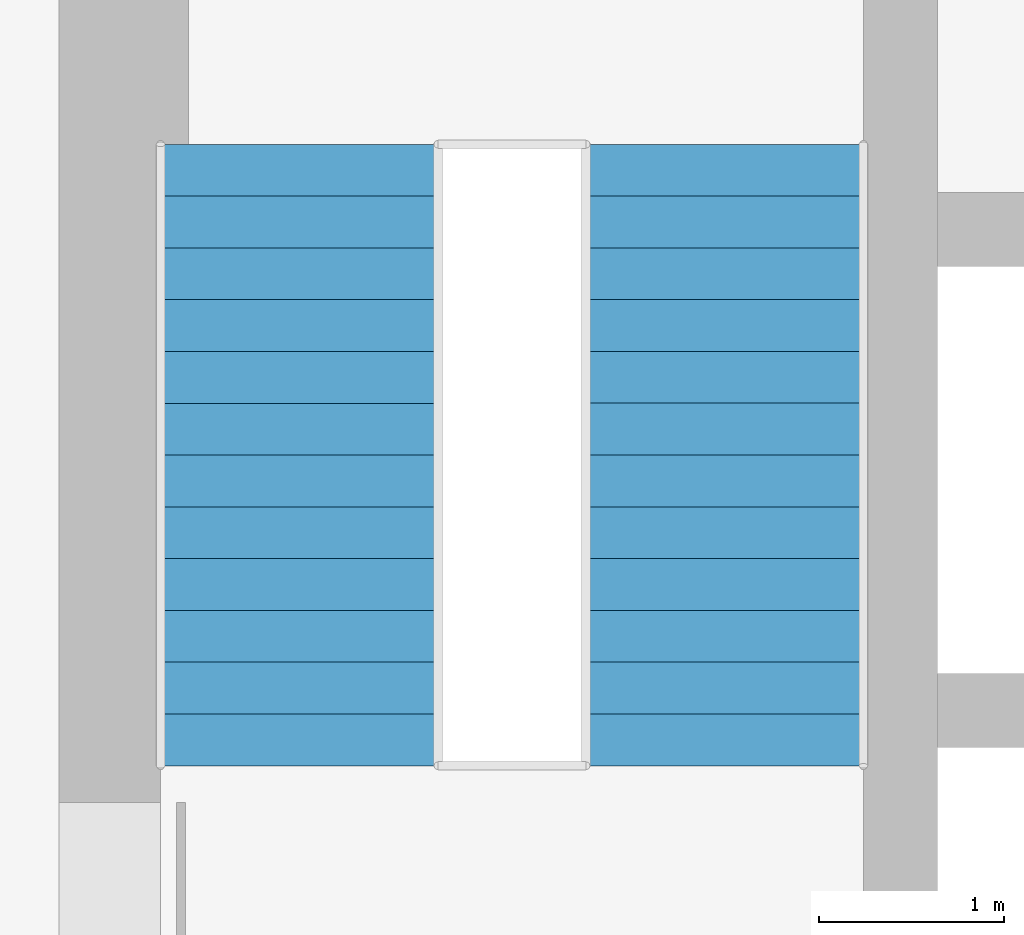
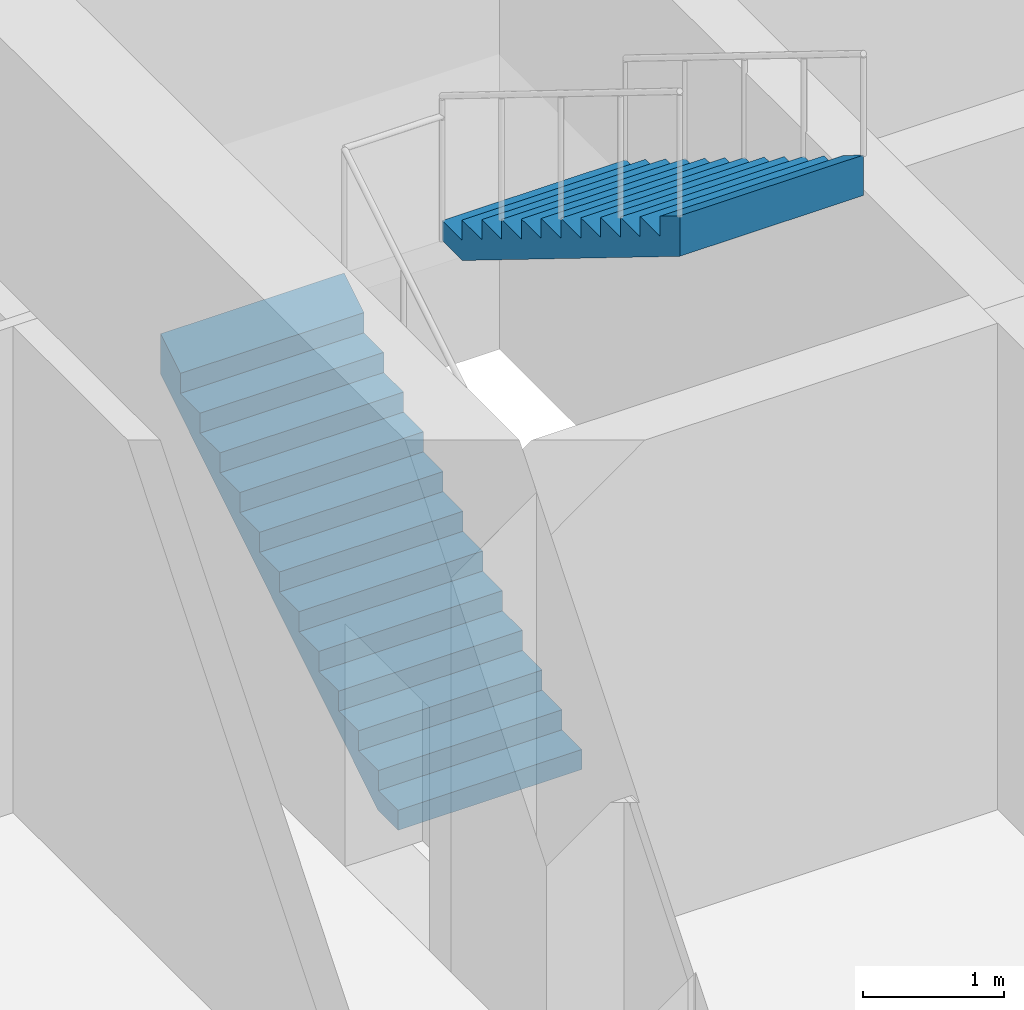
# One storey, part 6 of 8: 2 stair flights, 1 element without a shape of its own.
"""IFC4 building model written with IfcOpenShell, lengths in metres."""

from ifc_helpers import new_model, si_unit, direction, frame, origin, place, context, subcontext, project, spatial, triangles, material, type_object, element, aggregate, save


model = new_model("IFC4")

# Units and contexts
model_context = context("Model", 3, precision=1e-05, world=origin(), true_north=direction((0.0, 1.0)))
body_context = subcontext(model_context, "Body", "Model", "MODEL_VIEW")
ifc_project = project(units=[si_unit("LENGTHUNIT", "METRE"), si_unit("AREAUNIT", "SQUARE_METRE"), si_unit("VOLUMEUNIT", "CUBIC_METRE"), si_unit("PLANEANGLEUNIT", "RADIAN"), si_unit("MASSUNIT", "GRAM", prefix="KILO")], contexts=[model_context])

# Site, building, storey
site_placement = place(None, origin())
site = spatial("IfcSite", under=ifc_project, at=site_placement, CompositionType="ELEMENT")
building_placement = place(site_placement, origin())
building = spatial("IfcBuilding", under=site, at=building_placement, Name="Ludao Terraces", CompositionType="ELEMENT")
storey_placement = place(building_placement, frame((0.0, 0.0, 46.699951171875)))
storey = spatial("IfcBuildingStorey", under=building, at=storey_placement, Name="L12", CompositionType="ELEMENT", Elevation=46.699951171875)

# Stair, stair flights
ifc_material = material(Name="Concrete C40", Category="concrete")
stair_type = type_object("IfcStairType", Name="INT Stair", PredefinedType="HALF_TURN_STAIR", material=ifc_material)
stair_placement = place(storey_placement, origin())
stair = element("IfcStair", 1, at=stair_placement, inside=storey, type_object=stair_type, Name="EXIT STAIR 1", PredefinedType="HALF_TURN_STAIR")
stair_flight_type = type_object("IfcStairFlightType", Name="INT Stair flight", PredefinedType="STRAIGHT", material=ifc_material)
stair_flight_1_placement = place(storey_placement, frame((76.199951171875, 79.0, 0.0), z_axis=(0.0, 0.0, 1.0), x_axis=(0.0, 1.0, 0.0)))
stair_flight_1 = element("IfcStairFlight", 2, at=stair_flight_1_placement, type_object=stair_flight_type, Name="ST1 flight 1", NumberOfRisers=13, NumberOfTreads=12, PredefinedType="STRAIGHT", RiserHeight=0.173077, TreadLength=0.28, context=body_context, shape_type="Tessellation", body=[
    triangles([(0.0, -0.75, 0.0), (0.0, -0.5, 0.0), (0.0, -0.25, 0.0), (0.0, 0.0, 0.0), (0.0, 0.25, 0.0), (0.0, 0.5, 0.0), (0.0, 0.75, 0.0), (0.0, -0.75, 0.173095703125), (0.0, -0.5, 0.173095703125), (0.0, -0.25, 0.173095703125), (0.0, 0.0, 0.173095703125), (0.0, 0.25, 0.173095703125), (0.0, 0.5, 0.173095703125), (0.0, 0.75, 0.173095703125), (0.280029296875, -0.75, 0.173095703125), (0.280029296875, -0.5, 0.173095703125), (0.280029296875, -0.25, 0.173095703125), (0.280029296875, 0.0, 0.173095703125), (0.280029296875, 0.25, 0.173095703125), (0.280029296875, 0.5, 0.173095703125), (0.280029296875, 0.75, 0.173095703125), (0.280029296875, -0.75, 0.34619140625), (0.280029296875, -0.5, 0.34619140625), (0.280029296875, -0.25, 0.34619140625), (0.280029296875, 0.0, 0.34619140625), (0.280029296875, 0.25, 0.34619140625), (0.280029296875, 0.5, 0.34619140625), (0.280029296875, 0.75, 0.34619140625), (0.56005859375, -0.75, 0.34619140625), (0.56005859375, -0.5, 0.34619140625), (0.56005859375, -0.25, 0.34619140625), (0.56005859375, 0.0, 0.34619140625), (0.56005859375, 0.25, 0.34619140625), (0.56005859375, 0.5, 0.34619140625), (0.56005859375, 0.75, 0.34619140625), (0.56005859375, -0.75, 0.519287109375), (0.56005859375, -0.5, 0.519287109375), (0.56005859375, -0.25, 0.519287109375), (0.56005859375, 0.0, 0.519287109375), (0.56005859375, 0.25, 0.519287109375), (0.56005859375, 0.5, 0.519287109375), (0.56005859375, 0.75, 0.519287109375), (0.840087890625, -0.75, 0.519287109375), (0.840087890625, -0.5, 0.519287109375), (0.840087890625, -0.25, 0.519287109375), (0.840087890625, 0.0, 0.519287109375), (0.840087890625, 0.25, 0.519287109375), (0.840087890625, 0.5, 0.519287109375), (0.840087890625, 0.75, 0.519287109375), (0.840087890625, -0.75, 0.6923828125), (0.840087890625, -0.5, 0.6923828125), (0.840087890625, -0.25, 0.6923828125), (0.840087890625, 0.0, 0.6923828125), (0.840087890625, 0.25, 0.6923828125), (0.840087890625, 0.5, 0.6923828125), (0.840087890625, 0.75, 0.6923828125), (1.1201171875, -0.75, 0.6923828125), (1.1201171875, -0.5, 0.6923828125), (1.1201171875, -0.25, 0.6923828125), (1.1201171875, 0.0, 0.6923828125), (1.1201171875, 0.25, 0.6923828125), (1.1201171875, 0.5, 0.6923828125), (1.1201171875, 0.75, 0.6923828125), (1.1201171875, -0.75, 0.865478515625), (1.1201171875, -0.5, 0.865478515625), (1.1201171875, -0.25, 0.865478515625), (1.1201171875, 0.0, 0.865478515625), (1.1201171875, 0.25, 0.865478515625), (1.1201171875, 0.5, 0.865478515625), (1.1201171875, 0.75, 0.865478515625), (1.39990234375, -0.75, 0.865478515625), (1.39990234375, -0.5, 0.865478515625), (1.39990234375, -0.25, 0.865478515625), (1.39990234375, 0.0, 0.865478515625), (1.39990234375, 0.25, 0.865478515625), (1.39990234375, 0.5, 0.865478515625), (1.39990234375, 0.75, 0.865478515625), (1.39990234375, -0.75, 1.03857421875), (1.39990234375, -0.5, 1.03857421875), (1.39990234375, -0.25, 1.03857421875), (1.39990234375, 0.0, 1.03857421875), (1.39990234375, 0.25, 1.03857421875), (1.39990234375, 0.5, 1.03857421875), (1.39990234375, 0.75, 1.03857421875), (1.679931640625, -0.75, 1.03857421875), (1.679931640625, -0.5, 1.03857421875), (1.679931640625, -0.25, 1.03857421875), (1.679931640625, 0.0, 1.03857421875), (1.679931640625, 0.25, 1.03857421875), (1.679931640625, 0.5, 1.03857421875), (1.679931640625, 0.75, 1.03857421875), (1.679931640625, -0.75, 1.21142578125), (1.679931640625, -0.5, 1.21142578125), (1.679931640625, -0.25, 1.21142578125), (1.679931640625, 0.0, 1.21142578125), (1.679931640625, 0.25, 1.21142578125), (1.679931640625, 0.5, 1.21142578125), (1.679931640625, 0.75, 1.21142578125), (1.9599609375, -0.75, 1.21142578125), (1.9599609375, -0.5, 1.21142578125), (1.9599609375, -0.25, 1.21142578125), (1.9599609375, 0.0, 1.21142578125), (1.9599609375, 0.25, 1.21142578125), (1.9599609375, 0.5, 1.21142578125), (1.9599609375, 0.75, 1.21142578125), (1.9599609375, -0.75, 1.384521484375), (1.9599609375, -0.5, 1.384521484375), (1.9599609375, -0.25, 1.384521484375), (1.9599609375, 0.0, 1.384521484375), (1.9599609375, 0.25, 1.384521484375), (1.9599609375, 0.5, 1.384521484375), (1.9599609375, 0.75, 1.384521484375), (2.239990234375, -0.75, 1.384521484375), (2.239990234375, -0.5, 1.384521484375), (2.239990234375, -0.25, 1.384521484375), (2.239990234375, 0.0, 1.384521484375), (2.239990234375, 0.25, 1.384521484375), (2.239990234375, 0.5, 1.384521484375), (2.239990234375, 0.75, 1.384521484375), (2.239990234375, -0.75, 1.5576171875), (2.239990234375, -0.5, 1.5576171875), (2.239990234375, -0.25, 1.5576171875), (2.239990234375, 0.0, 1.5576171875), (2.239990234375, 0.25, 1.5576171875), (2.239990234375, 0.5, 1.5576171875), (2.239990234375, 0.75, 1.5576171875), (2.52001953125, -0.75, 1.5576171875), (2.52001953125, -0.5, 1.5576171875), (2.52001953125, -0.25, 1.5576171875), (2.52001953125, 0.0, 1.5576171875), (2.52001953125, 0.25, 1.5576171875), (2.52001953125, 0.5, 1.5576171875), (2.52001953125, 0.75, 1.5576171875), (2.52001953125, -0.75, 1.730712890625), (2.52001953125, -0.5, 1.730712890625), (2.52001953125, -0.25, 1.730712890625), (2.52001953125, 0.0, 1.730712890625), (2.52001953125, 0.25, 1.730712890625), (2.52001953125, 0.5, 1.730712890625), (2.52001953125, 0.75, 1.730712890625), (2.800048828125, -0.75, 1.730712890625), (2.800048828125, -0.5, 1.730712890625), (2.800048828125, -0.25, 1.730712890625), (2.800048828125, 0.0, 1.730712890625), (2.800048828125, 0.25, 1.730712890625), (2.800048828125, 0.5, 1.730712890625), (2.800048828125, 0.75, 1.730712890625), (2.800048828125, -0.75, 1.90380859375), (2.800048828125, -0.5, 1.90380859375), (2.800048828125, -0.25, 1.90380859375), (2.800048828125, 0.0, 1.90380859375), (2.800048828125, 0.25, 1.90380859375), (2.800048828125, 0.5, 1.90380859375), (2.800048828125, 0.75, 1.90380859375), (3.080078125, -0.75, 1.90380859375), (3.080078125, -0.5, 1.90380859375), (3.080078125, -0.25, 1.90380859375), (3.080078125, 0.0, 1.90380859375), (3.080078125, 0.25, 1.90380859375), (3.080078125, 0.5, 1.90380859375), (3.080078125, 0.75, 1.90380859375), (3.080078125, -0.75, 2.076904296875), (3.080078125, -0.5, 2.076904296875), (3.080078125, -0.25, 2.076904296875), (3.080078125, 0.0, 2.076904296875), (3.080078125, 0.25, 2.076904296875), (3.080078125, 0.5, 2.076904296875), (3.080078125, 0.75, 2.076904296875), (3.360107421875, -0.75, 2.25), (3.360107421875, -0.5, 2.25), (3.360107421875, -0.25, 2.25), (3.360107421875, 0.0, 2.25), (3.360107421875, 0.25, 2.25), (3.360107421875, 0.5, 2.25), (3.360107421875, 0.75, 2.25), (3.360107421875, -0.75, 1.900634765625), (3.360107421875, -0.5, 1.900634765625), (3.360107421875, -0.25, 1.900634765625), (3.360107421875, 0.0, 1.900634765625), (3.360107421875, 0.25, 1.900634765625), (3.360107421875, 0.5, 1.900634765625), (3.360107421875, 0.75, 1.900634765625), (0.28515625, -0.75, 0.0), (0.28515625, -0.5, 0.0), (0.28515625, -0.25, 0.0), (0.28515625, 0.0, 0.0), (0.28515625, 0.25, 0.0), (0.28515625, 0.5, 0.0), (0.28515625, 0.75, 0.0)], [[1, 183, 176], [7, 182, 189], [176, 169, 162], [182, 168, 175], [176, 162, 155], [182, 161, 168], [176, 155, 148], [182, 154, 161], [176, 148, 141], [182, 147, 154], [141, 134, 127], [147, 133, 140], [176, 141, 127], [182, 133, 147], [127, 120, 113], [133, 119, 126], [176, 127, 113], [182, 119, 133], [113, 106, 99], [119, 105, 112], [176, 113, 99], [182, 105, 119], [1, 176, 99], [7, 105, 182], [99, 92, 85], [105, 91, 98], [85, 78, 71], [91, 77, 84], [99, 85, 71], [105, 77, 91], [71, 64, 57], [77, 63, 70], [99, 71, 57], [105, 63, 77], [57, 50, 43], [63, 49, 56], [99, 57, 43], [105, 49, 63], [43, 36, 29], [49, 35, 42], [99, 43, 29], [105, 35, 49], [29, 22, 15], [35, 21, 28], [99, 29, 15], [105, 21, 35], [1, 99, 15], [7, 21, 105], [15, 8, 1], [21, 7, 14], [1, 9, 2], [1, 8, 9], [2, 10, 3], [2, 9, 10], [3, 11, 4], [3, 10, 11], [4, 12, 5], [4, 11, 12], [5, 13, 6], [5, 12, 13], [6, 14, 7], [6, 13, 14], [8, 16, 9], [8, 15, 16], [9, 17, 10], [9, 16, 17], [10, 18, 11], [10, 17, 18], [11, 19, 12], [11, 18, 19], [12, 20, 13], [12, 19, 20], [13, 21, 14], [13, 20, 21], [15, 23, 16], [15, 22, 23], [16, 24, 17], [16, 23, 24], [17, 25, 18], [17, 24, 25], [18, 26, 19], [18, 25, 26], [19, 27, 20], [19, 26, 27], [20, 28, 21], [20, 27, 28], [22, 30, 23], [22, 29, 30], [23, 31, 24], [23, 30, 31], [24, 32, 25], [24, 31, 32], [25, 33, 26], [25, 32, 33], [26, 34, 27], [26, 33, 34], [27, 35, 28], [27, 34, 35], [29, 37, 30], [29, 36, 37], [30, 38, 31], [30, 37, 38], [31, 39, 32], [31, 38, 39], [32, 40, 33], [32, 39, 40], [33, 41, 34], [33, 40, 41], [34, 42, 35], [34, 41, 42], [36, 44, 37], [36, 43, 44], [37, 45, 38], [37, 44, 45], [38, 46, 39], [38, 45, 46], [39, 47, 40], [39, 46, 47], [40, 48, 41], [40, 47, 48], [41, 49, 42], [41, 48, 49], [43, 51, 44], [43, 50, 51], [44, 52, 45], [44, 51, 52], [45, 53, 46], [45, 52, 53], [46, 54, 47], [46, 53, 54], [47, 55, 48], [47, 54, 55], [48, 56, 49], [48, 55, 56], [50, 58, 51], [50, 57, 58], [51, 59, 52], [51, 58, 59], [52, 60, 53], [52, 59, 60], [53, 61, 54], [53, 60, 61], [54, 62, 55], [54, 61, 62], [55, 63, 56], [55, 62, 63], [57, 65, 58], [57, 64, 65], [58, 66, 59], [58, 65, 66], [59, 67, 60], [59, 66, 67], [60, 68, 61], [60, 67, 68], [61, 69, 62], [61, 68, 69], [62, 70, 63], [62, 69, 70], [64, 72, 65], [64, 71, 72], [65, 73, 66], [65, 72, 73], [66, 74, 67], [66, 73, 74], [67, 75, 68], [67, 74, 75], [68, 76, 69], [68, 75, 76], [69, 77, 70], [69, 76, 77], [71, 79, 72], [71, 78, 79], [72, 80, 73], [72, 79, 80], [73, 81, 74], [73, 80, 81], [74, 82, 75], [74, 81, 82], [75, 83, 76], [75, 82, 83], [76, 84, 77], [76, 83, 84], [78, 86, 79], [78, 85, 86], [79, 87, 80], [79, 86, 87], [80, 88, 81], [80, 87, 88], [81, 89, 82], [81, 88, 89], [82, 90, 83], [82, 89, 90], [83, 91, 84], [83, 90, 91], [85, 93, 86], [85, 92, 93], [86, 94, 87], [86, 93, 94], [87, 95, 88], [87, 94, 95], [88, 96, 89], [88, 95, 96], [89, 97, 90], [89, 96, 97], [90, 98, 91], [90, 97, 98], [92, 100, 93], [92, 99, 100], [93, 101, 94], [93, 100, 101], [94, 102, 95], [94, 101, 102], [95, 103, 96], [95, 102, 103], [96, 104, 97], [96, 103, 104], [97, 105, 98], [97, 104, 105], [99, 107, 100], [99, 106, 107], [100, 108, 101], [100, 107, 108], [101, 109, 102], [101, 108, 109], [102, 110, 103], [102, 109, 110], [103, 111, 104], [103, 110, 111], [104, 112, 105], [104, 111, 112], [106, 114, 107], [106, 113, 114], [107, 115, 108], [107, 114, 115], [108, 116, 109], [108, 115, 116], [109, 117, 110], [109, 116, 117], [110, 118, 111], [110, 117, 118], [111, 119, 112], [111, 118, 119], [113, 121, 114], [113, 120, 121], [114, 122, 115], [114, 121, 122], [115, 123, 116], [115, 122, 123], [116, 124, 117], [116, 123, 124], [117, 125, 118], [117, 124, 125], [118, 126, 119], [118, 125, 126], [120, 128, 121], [120, 127, 128], [121, 129, 122], [121, 128, 129], [122, 130, 123], [122, 129, 130], [123, 131, 124], [123, 130, 131], [124, 132, 125], [124, 131, 132], [125, 133, 126], [125, 132, 133], [127, 135, 128], [127, 134, 135], [128, 136, 129], [128, 135, 136], [129, 137, 130], [129, 136, 137], [130, 138, 131], [130, 137, 138], [131, 139, 132], [131, 138, 139], [132, 140, 133], [132, 139, 140], [134, 142, 135], [134, 141, 142], [135, 143, 136], [135, 142, 143], [136, 144, 137], [136, 143, 144], [137, 145, 138], [137, 144, 145], [138, 146, 139], [138, 145, 146], [139, 147, 140], [139, 146, 147], [141, 149, 142], [141, 148, 149], [142, 150, 143], [142, 149, 150], [143, 151, 144], [143, 150, 151], [144, 152, 145], [144, 151, 152], [145, 153, 146], [145, 152, 153], [146, 154, 147], [146, 153, 154], [148, 156, 149], [148, 155, 156], [149, 157, 150], [149, 156, 157], [150, 158, 151], [150, 157, 158], [151, 159, 152], [151, 158, 159], [152, 160, 153], [152, 159, 160], [153, 161, 154], [153, 160, 161], [155, 163, 156], [155, 162, 163], [156, 164, 157], [156, 163, 164], [157, 165, 158], [157, 164, 165], [158, 166, 159], [158, 165, 166], [159, 167, 160], [159, 166, 167], [160, 168, 161], [160, 167, 168], [162, 170, 163], [162, 169, 170], [163, 171, 164], [163, 170, 171], [164, 172, 165], [164, 171, 172], [165, 173, 166], [165, 172, 173], [166, 174, 167], [166, 173, 174], [167, 175, 168], [167, 174, 175], [169, 177, 170], [169, 176, 177], [170, 178, 171], [170, 177, 178], [171, 179, 172], [171, 178, 179], [172, 180, 173], [172, 179, 180], [173, 181, 174], [173, 180, 181], [174, 182, 175], [174, 181, 182], [176, 184, 177], [176, 183, 184], [177, 185, 178], [177, 184, 185], [178, 186, 179], [178, 185, 186], [179, 187, 180], [179, 186, 187], [180, 188, 181], [180, 187, 188], [181, 189, 182], [181, 188, 189], [183, 2, 184], [183, 1, 2], [184, 3, 185], [184, 2, 3], [185, 4, 186], [185, 3, 4], [186, 5, 187], [186, 4, 5], [187, 6, 188], [187, 5, 6], [188, 7, 189], [188, 6, 7]], closed=True),
])
stair_flight_2_placement = place(storey_placement, frame((78.5, 82.360107421875, 2.25), z_axis=(0.0, 0.0, 1.0), x_axis=(0.0, -1.0, 0.0)))
stair_flight_2 = element("IfcStairFlight", 3, at=stair_flight_2_placement, type_object=stair_flight_type, Name="ST1 flight 2", NumberOfRisers=13, NumberOfTreads=12, PredefinedType="STRAIGHT", RiserHeight=0.173077, TreadLength=0.28, context=body_context, shape_type="Tessellation", body=[
    triangles([(0.0, -0.75, 0.0), (0.0, -0.5, 0.0), (0.0, -0.25, 0.0), (0.0, 0.0, 0.0), (0.0, 0.25, 0.0), (0.0, 0.5, 0.0), (0.0, 0.75, 0.0), (0.0, -0.75, 0.173095703125), (0.0, -0.5, 0.173095703125), (0.0, -0.25, 0.173095703125), (0.0, 0.0, 0.173095703125), (0.0, 0.25, 0.173095703125), (0.0, 0.5, 0.173095703125), (0.0, 0.75, 0.173095703125), (0.280029296875, -0.75, 0.173095703125), (0.280029296875, -0.5, 0.173095703125), (0.280029296875, -0.25, 0.173095703125), (0.280029296875, 0.0, 0.173095703125), (0.280029296875, 0.25, 0.173095703125), (0.280029296875, 0.5, 0.173095703125), (0.280029296875, 0.75, 0.173095703125), (0.280029296875, -0.75, 0.34619140625), (0.280029296875, -0.5, 0.34619140625), (0.280029296875, -0.25, 0.34619140625), (0.280029296875, 0.0, 0.34619140625), (0.280029296875, 0.25, 0.34619140625), (0.280029296875, 0.5, 0.34619140625), (0.280029296875, 0.75, 0.34619140625), (0.56005859375, -0.75, 0.34619140625), (0.56005859375, -0.5, 0.34619140625), (0.56005859375, -0.25, 0.34619140625), (0.56005859375, 0.0, 0.34619140625), (0.56005859375, 0.25, 0.34619140625), (0.56005859375, 0.5, 0.34619140625), (0.56005859375, 0.75, 0.34619140625), (0.56005859375, -0.75, 0.519287109375), (0.56005859375, -0.5, 0.519287109375), (0.56005859375, -0.25, 0.519287109375), (0.56005859375, 0.0, 0.519287109375), (0.56005859375, 0.25, 0.519287109375), (0.56005859375, 0.5, 0.519287109375), (0.56005859375, 0.75, 0.519287109375), (0.840087890625, -0.75, 0.519287109375), (0.840087890625, -0.5, 0.519287109375), (0.840087890625, -0.25, 0.519287109375), (0.840087890625, 0.0, 0.519287109375), (0.840087890625, 0.25, 0.519287109375), (0.840087890625, 0.5, 0.519287109375), (0.840087890625, 0.75, 0.519287109375), (0.840087890625, -0.75, 0.6923828125), (0.840087890625, -0.5, 0.6923828125), (0.840087890625, -0.25, 0.6923828125), (0.840087890625, 0.0, 0.6923828125), (0.840087890625, 0.25, 0.6923828125), (0.840087890625, 0.5, 0.6923828125), (0.840087890625, 0.75, 0.6923828125), (1.1201171875, -0.75, 0.6923828125), (1.1201171875, -0.5, 0.6923828125), (1.1201171875, -0.25, 0.6923828125), (1.1201171875, 0.0, 0.6923828125), (1.1201171875, 0.25, 0.6923828125), (1.1201171875, 0.5, 0.6923828125), (1.1201171875, 0.75, 0.6923828125), (1.1201171875, -0.75, 0.865478515625), (1.1201171875, -0.5, 0.865478515625), (1.1201171875, -0.25, 0.865478515625), (1.1201171875, 0.0, 0.865478515625), (1.1201171875, 0.25, 0.865478515625), (1.1201171875, 0.5, 0.865478515625), (1.1201171875, 0.75, 0.865478515625), (1.39990234375, -0.75, 0.865478515625), (1.39990234375, -0.5, 0.865478515625), (1.39990234375, -0.25, 0.865478515625), (1.39990234375, 0.0, 0.865478515625), (1.39990234375, 0.25, 0.865478515625), (1.39990234375, 0.5, 0.865478515625), (1.39990234375, 0.75, 0.865478515625), (1.39990234375, -0.75, 1.03857421875), (1.39990234375, -0.5, 1.03857421875), (1.39990234375, -0.25, 1.03857421875), (1.39990234375, 0.0, 1.03857421875), (1.39990234375, 0.25, 1.03857421875), (1.39990234375, 0.5, 1.03857421875), (1.39990234375, 0.75, 1.03857421875), (1.679931640625, -0.75, 1.03857421875), (1.679931640625, -0.5, 1.03857421875), (1.679931640625, -0.25, 1.03857421875), (1.679931640625, 0.0, 1.03857421875), (1.679931640625, 0.25, 1.03857421875), (1.679931640625, 0.5, 1.03857421875), (1.679931640625, 0.75, 1.03857421875), (1.679931640625, -0.75, 1.21142578125), (1.679931640625, -0.5, 1.21142578125), (1.679931640625, -0.25, 1.21142578125), (1.679931640625, 0.0, 1.21142578125), (1.679931640625, 0.25, 1.21142578125), (1.679931640625, 0.5, 1.21142578125), (1.679931640625, 0.75, 1.21142578125), (1.9599609375, -0.75, 1.21142578125), (1.9599609375, -0.5, 1.21142578125), (1.9599609375, -0.25, 1.21142578125), (1.9599609375, 0.0, 1.21142578125), (1.9599609375, 0.25, 1.21142578125), (1.9599609375, 0.5, 1.21142578125), (1.9599609375, 0.75, 1.21142578125), (1.9599609375, -0.75, 1.384521484375), (1.9599609375, -0.5, 1.384521484375), (1.9599609375, -0.25, 1.384521484375), (1.9599609375, 0.0, 1.384521484375), (1.9599609375, 0.25, 1.384521484375), (1.9599609375, 0.5, 1.384521484375), (1.9599609375, 0.75, 1.384521484375), (2.239990234375, -0.75, 1.384521484375), (2.239990234375, -0.5, 1.384521484375), (2.239990234375, -0.25, 1.384521484375), (2.239990234375, 0.0, 1.384521484375), (2.239990234375, 0.25, 1.384521484375), (2.239990234375, 0.5, 1.384521484375), (2.239990234375, 0.75, 1.384521484375), (2.239990234375, -0.75, 1.5576171875), (2.239990234375, -0.5, 1.5576171875), (2.239990234375, -0.25, 1.5576171875), (2.239990234375, 0.0, 1.5576171875), (2.239990234375, 0.25, 1.5576171875), (2.239990234375, 0.5, 1.5576171875), (2.239990234375, 0.75, 1.5576171875), (2.52001953125, -0.75, 1.5576171875), (2.52001953125, -0.5, 1.5576171875), (2.52001953125, -0.25, 1.5576171875), (2.52001953125, 0.0, 1.5576171875), (2.52001953125, 0.25, 1.5576171875), (2.52001953125, 0.5, 1.5576171875), (2.52001953125, 0.75, 1.5576171875), (2.52001953125, -0.75, 1.730712890625), (2.52001953125, -0.5, 1.730712890625), (2.52001953125, -0.25, 1.730712890625), (2.52001953125, 0.0, 1.730712890625), (2.52001953125, 0.25, 1.730712890625), (2.52001953125, 0.5, 1.730712890625), (2.52001953125, 0.75, 1.730712890625), (2.800048828125, -0.75, 1.730712890625), (2.800048828125, -0.5, 1.730712890625), (2.800048828125, -0.25, 1.730712890625), (2.800048828125, 0.0, 1.730712890625), (2.800048828125, 0.25, 1.730712890625), (2.800048828125, 0.5, 1.730712890625), (2.800048828125, 0.75, 1.730712890625), (2.800048828125, -0.75, 1.90380859375), (2.800048828125, -0.5, 1.90380859375), (2.800048828125, -0.25, 1.90380859375), (2.800048828125, 0.0, 1.90380859375), (2.800048828125, 0.25, 1.90380859375), (2.800048828125, 0.5, 1.90380859375), (2.800048828125, 0.75, 1.90380859375), (3.080078125, -0.75, 1.90380859375), (3.080078125, -0.5, 1.90380859375), (3.080078125, -0.25, 1.90380859375), (3.080078125, 0.0, 1.90380859375), (3.080078125, 0.25, 1.90380859375), (3.080078125, 0.5, 1.90380859375), (3.080078125, 0.75, 1.90380859375), (3.080078125, -0.75, 2.076904296875), (3.080078125, -0.5, 2.076904296875), (3.080078125, -0.25, 2.076904296875), (3.080078125, 0.0, 2.076904296875), (3.080078125, 0.25, 2.076904296875), (3.080078125, 0.5, 2.076904296875), (3.080078125, 0.75, 2.076904296875), (3.360107421875, -0.75, 2.25), (3.360107421875, -0.5, 2.25), (3.360107421875, -0.25, 2.25), (3.360107421875, 0.0, 2.25), (3.360107421875, 0.25, 2.25), (3.360107421875, 0.5, 2.25), (3.360107421875, 0.75, 2.25), (3.360107421875, -0.75, 1.900634765625), (3.360107421875, -0.5, 1.900634765625), (3.360107421875, -0.25, 1.900634765625), (3.360107421875, 0.0, 1.900634765625), (3.360107421875, 0.25, 1.900634765625), (3.360107421875, 0.5, 1.900634765625), (3.360107421875, 0.75, 1.900634765625), (0.28515625, -0.75, 0.0), (0.28515625, -0.5, 0.0), (0.28515625, -0.25, 0.0), (0.28515625, 0.0, 0.0), (0.28515625, 0.25, 0.0), (0.28515625, 0.5, 0.0), (0.28515625, 0.75, 0.0)], [[1, 183, 176], [7, 182, 189], [176, 169, 162], [182, 168, 175], [176, 162, 155], [182, 161, 168], [176, 155, 148], [182, 154, 161], [176, 148, 141], [182, 147, 154], [141, 134, 127], [147, 133, 140], [176, 141, 127], [182, 133, 147], [127, 120, 113], [133, 119, 126], [176, 127, 113], [182, 119, 133], [113, 106, 99], [119, 105, 112], [176, 113, 99], [182, 105, 119], [1, 176, 99], [7, 105, 182], [99, 92, 85], [105, 91, 98], [85, 78, 71], [91, 77, 84], [99, 85, 71], [105, 77, 91], [71, 64, 57], [77, 63, 70], [99, 71, 57], [105, 63, 77], [57, 50, 43], [63, 49, 56], [99, 57, 43], [105, 49, 63], [43, 36, 29], [49, 35, 42], [99, 43, 29], [105, 35, 49], [29, 22, 15], [35, 21, 28], [99, 29, 15], [105, 21, 35], [1, 99, 15], [7, 21, 105], [15, 8, 1], [21, 7, 14], [1, 9, 2], [1, 8, 9], [2, 10, 3], [2, 9, 10], [3, 11, 4], [3, 10, 11], [4, 12, 5], [4, 11, 12], [5, 13, 6], [5, 12, 13], [6, 14, 7], [6, 13, 14], [8, 16, 9], [8, 15, 16], [9, 17, 10], [9, 16, 17], [10, 18, 11], [10, 17, 18], [11, 19, 12], [11, 18, 19], [12, 20, 13], [12, 19, 20], [13, 21, 14], [13, 20, 21], [15, 23, 16], [15, 22, 23], [16, 24, 17], [16, 23, 24], [17, 25, 18], [17, 24, 25], [18, 26, 19], [18, 25, 26], [19, 27, 20], [19, 26, 27], [20, 28, 21], [20, 27, 28], [22, 30, 23], [22, 29, 30], [23, 31, 24], [23, 30, 31], [24, 32, 25], [24, 31, 32], [25, 33, 26], [25, 32, 33], [26, 34, 27], [26, 33, 34], [27, 35, 28], [27, 34, 35], [29, 37, 30], [29, 36, 37], [30, 38, 31], [30, 37, 38], [31, 39, 32], [31, 38, 39], [32, 40, 33], [32, 39, 40], [33, 41, 34], [33, 40, 41], [34, 42, 35], [34, 41, 42], [36, 44, 37], [36, 43, 44], [37, 45, 38], [37, 44, 45], [38, 46, 39], [38, 45, 46], [39, 47, 40], [39, 46, 47], [40, 48, 41], [40, 47, 48], [41, 49, 42], [41, 48, 49], [43, 51, 44], [43, 50, 51], [44, 52, 45], [44, 51, 52], [45, 53, 46], [45, 52, 53], [46, 54, 47], [46, 53, 54], [47, 55, 48], [47, 54, 55], [48, 56, 49], [48, 55, 56], [50, 58, 51], [50, 57, 58], [51, 59, 52], [51, 58, 59], [52, 60, 53], [52, 59, 60], [53, 61, 54], [53, 60, 61], [54, 62, 55], [54, 61, 62], [55, 63, 56], [55, 62, 63], [57, 65, 58], [57, 64, 65], [58, 66, 59], [58, 65, 66], [59, 67, 60], [59, 66, 67], [60, 68, 61], [60, 67, 68], [61, 69, 62], [61, 68, 69], [62, 70, 63], [62, 69, 70], [64, 72, 65], [64, 71, 72], [65, 73, 66], [65, 72, 73], [66, 74, 67], [66, 73, 74], [67, 75, 68], [67, 74, 75], [68, 76, 69], [68, 75, 76], [69, 77, 70], [69, 76, 77], [71, 79, 72], [71, 78, 79], [72, 80, 73], [72, 79, 80], [73, 81, 74], [73, 80, 81], [74, 82, 75], [74, 81, 82], [75, 83, 76], [75, 82, 83], [76, 84, 77], [76, 83, 84], [78, 86, 79], [78, 85, 86], [79, 87, 80], [79, 86, 87], [80, 88, 81], [80, 87, 88], [81, 89, 82], [81, 88, 89], [82, 90, 83], [82, 89, 90], [83, 91, 84], [83, 90, 91], [85, 93, 86], [85, 92, 93], [86, 94, 87], [86, 93, 94], [87, 95, 88], [87, 94, 95], [88, 96, 89], [88, 95, 96], [89, 97, 90], [89, 96, 97], [90, 98, 91], [90, 97, 98], [92, 100, 93], [92, 99, 100], [93, 101, 94], [93, 100, 101], [94, 102, 95], [94, 101, 102], [95, 103, 96], [95, 102, 103], [96, 104, 97], [96, 103, 104], [97, 105, 98], [97, 104, 105], [99, 107, 100], [99, 106, 107], [100, 108, 101], [100, 107, 108], [101, 109, 102], [101, 108, 109], [102, 110, 103], [102, 109, 110], [103, 111, 104], [103, 110, 111], [104, 112, 105], [104, 111, 112], [106, 114, 107], [106, 113, 114], [107, 115, 108], [107, 114, 115], [108, 116, 109], [108, 115, 116], [109, 117, 110], [109, 116, 117], [110, 118, 111], [110, 117, 118], [111, 119, 112], [111, 118, 119], [113, 121, 114], [113, 120, 121], [114, 122, 115], [114, 121, 122], [115, 123, 116], [115, 122, 123], [116, 124, 117], [116, 123, 124], [117, 125, 118], [117, 124, 125], [118, 126, 119], [118, 125, 126], [120, 128, 121], [120, 127, 128], [121, 129, 122], [121, 128, 129], [122, 130, 123], [122, 129, 130], [123, 131, 124], [123, 130, 131], [124, 132, 125], [124, 131, 132], [125, 133, 126], [125, 132, 133], [127, 135, 128], [127, 134, 135], [128, 136, 129], [128, 135, 136], [129, 137, 130], [129, 136, 137], [130, 138, 131], [130, 137, 138], [131, 139, 132], [131, 138, 139], [132, 140, 133], [132, 139, 140], [134, 142, 135], [134, 141, 142], [135, 143, 136], [135, 142, 143], [136, 144, 137], [136, 143, 144], [137, 145, 138], [137, 144, 145], [138, 146, 139], [138, 145, 146], [139, 147, 140], [139, 146, 147], [141, 149, 142], [141, 148, 149], [142, 150, 143], [142, 149, 150], [143, 151, 144], [143, 150, 151], [144, 152, 145], [144, 151, 152], [145, 153, 146], [145, 152, 153], [146, 154, 147], [146, 153, 154], [148, 156, 149], [148, 155, 156], [149, 157, 150], [149, 156, 157], [150, 158, 151], [150, 157, 158], [151, 159, 152], [151, 158, 159], [152, 160, 153], [152, 159, 160], [153, 161, 154], [153, 160, 161], [155, 163, 156], [155, 162, 163], [156, 164, 157], [156, 163, 164], [157, 165, 158], [157, 164, 165], [158, 166, 159], [158, 165, 166], [159, 167, 160], [159, 166, 167], [160, 168, 161], [160, 167, 168], [162, 170, 163], [162, 169, 170], [163, 171, 164], [163, 170, 171], [164, 172, 165], [164, 171, 172], [165, 173, 166], [165, 172, 173], [166, 174, 167], [166, 173, 174], [167, 175, 168], [167, 174, 175], [169, 177, 170], [169, 176, 177], [170, 178, 171], [170, 177, 178], [171, 179, 172], [171, 178, 179], [172, 180, 173], [172, 179, 180], [173, 181, 174], [173, 180, 181], [174, 182, 175], [174, 181, 182], [176, 184, 177], [176, 183, 184], [177, 185, 178], [177, 184, 185], [178, 186, 179], [178, 185, 186], [179, 187, 180], [179, 186, 187], [180, 188, 181], [180, 187, 188], [181, 189, 182], [181, 188, 189], [183, 2, 184], [183, 1, 2], [184, 3, 185], [184, 2, 3], [185, 4, 186], [185, 3, 4], [186, 5, 187], [186, 4, 5], [187, 6, 188], [187, 5, 6], [188, 7, 189], [188, 6, 7]], closed=True),
])
aggregate(stair, [stair_flight_1, stair_flight_2])

save(model, "model.ifc")
